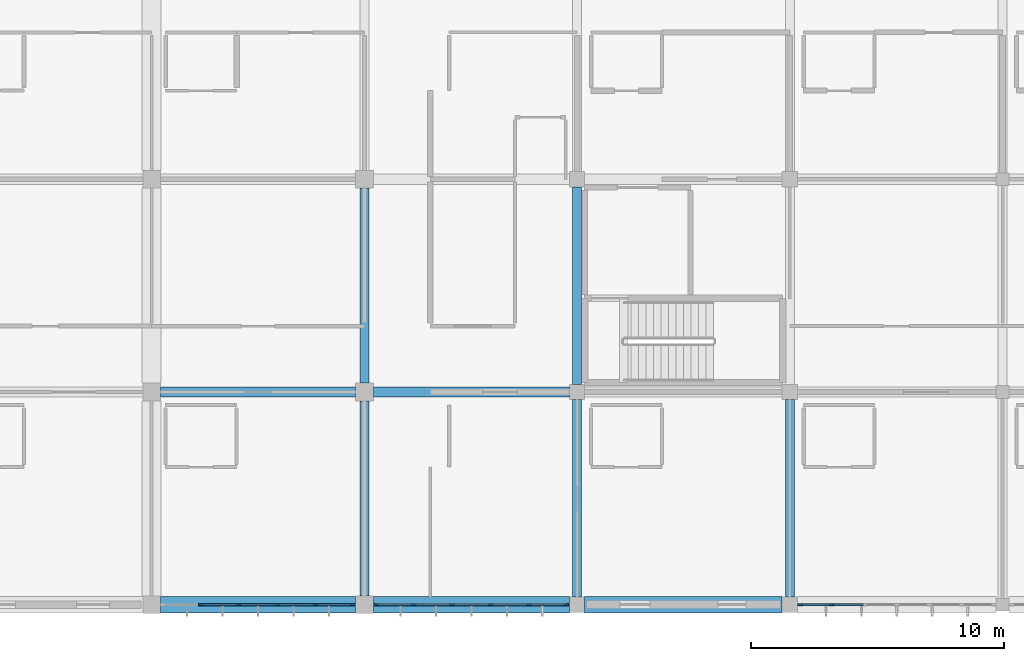
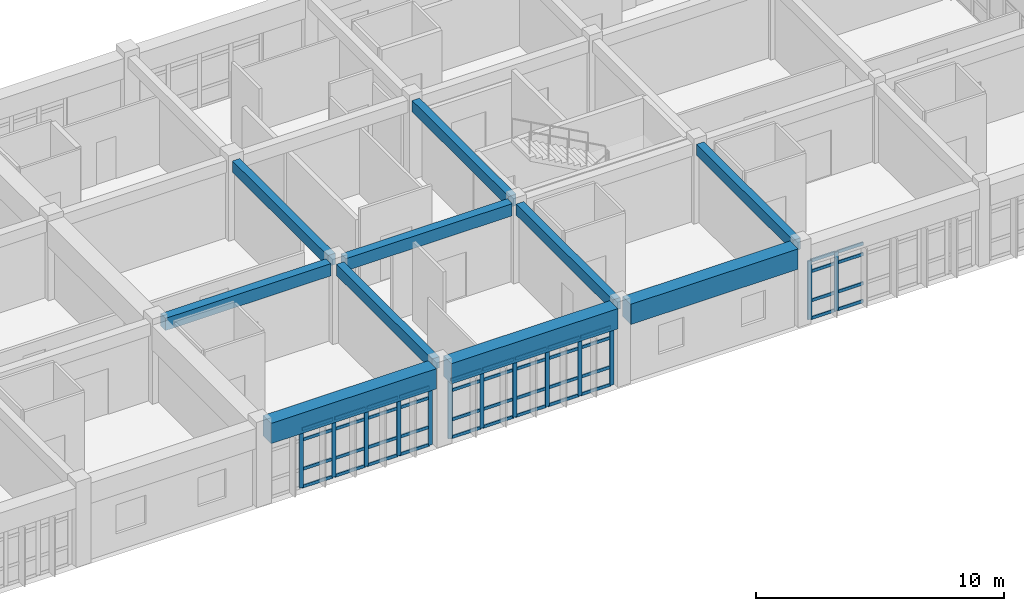
# One storey, part 43 of 119: 57 members, 10 beams, 3 elements without a shape of their own.
"""IFC4 building model written with IfcOpenShell, lengths in metres."""

from ifc_helpers import new_model, si_unit, direction, frame, origin, origin_2d, place, context, subcontext, project, spatial, rectangle, extrude, material, layer, layer_set, material_profile, profile_set, type_object, element, aggregate, save


model = new_model("IFC4")

# Units and contexts
model_context = context("Model", 3, precision=1e-05, world=origin(), true_north=direction((0.0, 1.0)))
body_context = subcontext(model_context, "Body", "Model", "MODEL_VIEW")
ifc_project = project(units=[si_unit("LENGTHUNIT", "METRE"), si_unit("AREAUNIT", "SQUARE_METRE"), si_unit("VOLUMEUNIT", "CUBIC_METRE"), si_unit("PLANEANGLEUNIT", "RADIAN"), si_unit("MASSUNIT", "GRAM", prefix="KILO")], contexts=[model_context])

# Site, building, storey
site_placement = place(None, origin())
site = spatial("IfcSite", under=ifc_project, at=site_placement, CompositionType="ELEMENT")
building_placement = place(site_placement, origin())
building = spatial("IfcBuilding", under=site, at=building_placement, Name="Bramfleet General Hospital", CompositionType="ELEMENT")
storey_placement = place(building_placement, frame((0.0, 0.0, 14.39990234375)))
storey = spatial("IfcBuildingStorey", under=building, at=storey_placement, Name="L03", CompositionType="ELEMENT", Elevation=14.39990234375)

# Beams
ifc_material_1 = material(Name="Concrete C35/45", Category="concrete")
ifc_material_profile_1 = material_profile(ifc_material_1, rectangle(XDim=0.35009765625, YDim=0.550048828125, at=origin_2d()), Name="RC BM 550x350")
ifc_profile_set_1 = profile_set([ifc_material_profile_1], Name="Concrete C35/45")
beam_type_1 = type_object("IfcBeamType", Name="BM-RC550", PredefinedType="BEAM", material=ifc_profile_set_1)
for number, where, z_axis, x_axis, name in (
    (1, (134.39990234375, 0.35009765625, 3.625), (0.0, 1.0, 0.0), (-1.0, 0.0, 0.0), "L03 Grid Beam Y 16-00"),
    (2, (134.39990234375, 8.75, 3.625), (0.0, 1.0, 0.0), (-1.0, 0.0, 0.0), "L03 Grid Beam Y 16-01"),
):
    element("IfcBeam", number, at=place(storey_placement, frame(where, z_axis=z_axis, x_axis=x_axis)), inside=storey, type_object=beam_type_1, Name=name, PredefinedType="BEAM", context=body_context, shape_type="SweptSolid", body=[
        extrude(rectangle(XDim=0.35009765625, YDim=0.550048828125, at=origin_2d()), origin(), (0.0, 0.0, 1.0), 7.699951171875),
    ])
for number, where, z_axis, x_axis, name in (
    (3, (142.800048828125, 0.300048828125, 3.625), (0.0, 1.0, 0.0), (-1.0, 0.0, 0.0), "L03 Grid Beam Y 17-00"),
    (4, (142.800048828125, 8.699951171875, 3.625), (0.0, 1.0, 0.0), (-1.0, 0.0, 0.0), "L03 Grid Beam Y 17-01"),
    (5, (151.199951171875, 0.300048828125, 3.625), (0.0, 1.0, 0.0), (-1.0, 0.0, 0.0), "L03 Grid Beam Y 18-00"),
):
    element("IfcBeam", number, at=place(storey_placement, frame(where, z_axis=z_axis, x_axis=x_axis)), inside=storey, type_object=beam_type_1, Name=name, PredefinedType="BEAM", context=body_context, shape_type="SweptSolid", body=[
        extrude(rectangle(XDim=0.35009765625, YDim=0.550048828125, at=origin_2d()), origin(), (0.0, 0.0, 1.0), 7.800048828125),
    ])
ifc_material_profile_2 = material_profile(ifc_material_1, rectangle(XDim=0.39990234375, YDim=0.60009765625, at=origin_2d()), Name="RC BM 600x400")
ifc_profile_set_2 = profile_set([ifc_material_profile_2], Name="Concrete C35/45")
beam_type_2 = type_object("IfcBeamType", Name="BM-RC600", PredefinedType="BEAM", material=ifc_profile_set_2)
beam_1_placement = place(storey_placement, frame((126.35009765625, 8.39990234375, 3.60009765625), z_axis=(1.0, 0.0, 0.0), x_axis=(0.0, 1.0, 0.0)))
element("IfcBeam", 6, at=beam_1_placement, inside=storey, type_object=beam_type_2, Name="L03 Grid Beam X 15-01", PredefinedType="BEAM", context=body_context, shape_type="SweptSolid", body=[
    extrude(rectangle(XDim=0.39990234375, YDim=0.60009765625, at=origin_2d()), origin(), (0.0, 0.0, 1.0), 7.699951171875),
])
beam_2_placement = place(storey_placement, frame((134.75, 8.39990234375, 3.60009765625), z_axis=(1.0, 0.0, 0.0), x_axis=(0.0, 1.0, 0.0)))
element("IfcBeam", 7, at=beam_2_placement, inside=storey, type_object=beam_type_2, Name="L03 Grid Beam X 16-01", PredefinedType="BEAM", context=body_context, shape_type="SweptSolid", body=[
    extrude(rectangle(XDim=0.39990234375, YDim=0.60009765625, at=origin_2d()), origin(), (0.0, 0.0, 1.0), 7.75),
])
ifc_material_2 = material(Name="Concrete C40/50", Category="concrete")
ifc_material_profile_3 = material_profile(ifc_material_2, rectangle(XDim=0.64990234375, YDim=1.0, at=origin_2d()), Name="RC TG 1000x650")
ifc_profile_set_3 = profile_set([ifc_material_profile_3], Name="Concrete C40/50")
beam_type_3 = type_object("IfcBeamType", Name="BM-TG1000", PredefinedType="BEAM", material=ifc_profile_set_3)
beam_3_placement = place(storey_placement, frame((126.35009765625, 0.0, 3.400146484375), z_axis=(1.0, 0.0, 0.0), x_axis=(0.0, 1.0, 0.0)))
element("IfcBeam", 8, at=beam_3_placement, inside=storey, type_object=beam_type_3, Name="L03 Transfer Girder X 15-00", PredefinedType="BEAM", context=body_context, shape_type="SweptSolid", body=[
    extrude(rectangle(XDim=0.64990234375, YDim=1.0, at=origin_2d()), origin(), (0.0, 0.0, 1.0), 7.699951171875),
])
beam_4_placement = place(storey_placement, frame((134.75, 0.0, 3.400146484375), z_axis=(1.0, 0.0, 0.0), x_axis=(0.0, 1.0, 0.0)))
element("IfcBeam", 9, at=beam_4_placement, inside=storey, type_object=beam_type_3, Name="L03 Transfer Girder X 16-00", PredefinedType="BEAM", context=body_context, shape_type="SweptSolid", body=[
    extrude(rectangle(XDim=0.64990234375, YDim=1.0, at=origin_2d()), origin(), (0.0, 0.0, 1.0), 7.75),
])
beam_5_placement = place(storey_placement, frame((143.10009765625, 0.0, 3.400146484375), z_axis=(1.0, 0.0, 0.0), x_axis=(0.0, 1.0, 0.0)))
element("IfcBeam", 10, at=beam_5_placement, inside=storey, type_object=beam_type_3, Name="L03 Transfer Girder X 17-00", PredefinedType="BEAM", context=body_context, shape_type="SweptSolid", body=[
    extrude(rectangle(XDim=0.64990234375, YDim=1.0, at=origin_2d()), origin(), (0.0, 0.0, 1.0), 7.7998046875),
])

# Curtain wall, members
ifc_material_3 = material(Name="Anodised aluminium and low-E triple glazing", Category="aluminium")
ifc_layer_1 = layer(ifc_material_3, 0.179931640625, Name="CWT-CW-08")
ifc_layer_set_1 = layer_set([ifc_layer_1], Name="Anodised aluminium and low-E triple glazing")
curtain_wall_type_1 = type_object("IfcCurtainWallType", Name="CWT-CW-08", PredefinedType="USERDEFINED", material=ifc_layer_set_1)
curtain_wall_1_placement = place(storey_placement, origin())
curtain_wall_1 = element("IfcCurtainWall", 11, at=curtain_wall_1_placement, inside=storey, type_object=curtain_wall_type_1, Name="L03 Curtain Wall 170", ObjectType="Unitised curtain wall", PredefinedType="USERDEFINED")
ifc_material_4 = material(Name="Structural timber GL28h", Category="wood")
ifc_material_profile_4 = material_profile(ifc_material_4, rectangle(XDim=0.070068359375, YDim=0.18994140625, at=origin_2d()), Name="LARCH 190x70")
ifc_profile_set_4 = profile_set([ifc_material_profile_4], Name="Structural timber GL28h")
member_type_1 = type_object("IfcMemberType", Name="CWM-LARCH450", PredefinedType="MULLION", material=ifc_profile_set_4)
member_1_placement = place(storey_placement, frame((152.8583984375, 0.0, 0.0), z_axis=(0.0, 0.0, 1.0), x_axis=(0.0, -1.0, 0.0)))
member_1 = element("IfcMember", 12, at=member_1_placement, type_object=member_type_1, Name="CW-08 mullion 6", PredefinedType="MULLION", context=body_context, shape_type="SweptSolid", body=[
    extrude(rectangle(XDim=0.070068359375, YDim=0.18994140625, at=origin_2d()), origin(), (0.0, 0.0, 1.0), 2.89013671875),
])
member_2_placement = place(storey_placement, frame((151.610107421875, 0.0, 0.0), z_axis=(0.0, 0.0, 1.0), x_axis=(0.0, -1.0, 0.0)))
member_2 = element("IfcMember", 13, at=member_2_placement, type_object=member_type_1, Name="CW-08 mullion 7", PredefinedType="MULLION", context=body_context, shape_type="SweptSolid", body=[
    extrude(rectangle(XDim=0.070068359375, YDim=0.18994140625, at=origin_2d()), origin(), (0.0, 0.0, 1.0), 2.89013671875),
])

ifc_layer_2 = layer(ifc_material_3, 0.179931640625, Name="CWT-CW-09")
ifc_layer_set_2 = layer_set([ifc_layer_2], Name="Anodised aluminium and low-E triple glazing")
curtain_wall_type_2 = type_object("IfcCurtainWallType", Name="CWT-CW-09", PredefinedType="USERDEFINED", material=ifc_layer_set_2)
curtain_wall_2_placement = place(storey_placement, origin())
curtain_wall_2 = element("IfcCurtainWall", 14, at=curtain_wall_2_placement, inside=storey, type_object=curtain_wall_type_2, Name="L03 Curtain Wall 171", ObjectType="Unitised curtain wall", PredefinedType="USERDEFINED")
member_3_placement = place(storey_placement, frame((142.389892578125, 0.0, 0.0), z_axis=(0.0, 0.0, 1.0), x_axis=(0.0, -1.0, 0.0)))
member_3 = element("IfcMember", 15, at=member_3_placement, type_object=member_type_1, Name="CW-09 mullion 1", PredefinedType="MULLION", context=body_context, shape_type="SweptSolid", body=[
    extrude(rectangle(XDim=0.070068359375, YDim=0.18994140625, at=origin_2d()), origin(), (0.0, 0.0, 1.0), 2.89013671875),
])
member_4_placement = place(storey_placement, frame((140.905029296875, 0.0, 0.0), z_axis=(0.0, 0.0, 1.0), x_axis=(0.0, -1.0, 0.0)))
member_4 = element("IfcMember", 16, at=member_4_placement, type_object=member_type_1, Name="CW-09 mullion 2", PredefinedType="MULLION", context=body_context, shape_type="SweptSolid", body=[
    extrude(rectangle(XDim=0.070068359375, YDim=0.18994140625, at=origin_2d()), origin(), (0.0, 0.0, 1.0), 2.89013671875),
])
member_5_placement = place(storey_placement, frame((139.385009765625, 0.0, 0.0), z_axis=(0.0, 0.0, 1.0), x_axis=(0.0, -1.0, 0.0)))
member_5 = element("IfcMember", 17, at=member_5_placement, type_object=member_type_1, Name="CW-09 mullion 3", PredefinedType="MULLION", context=body_context, shape_type="SweptSolid", body=[
    extrude(rectangle(XDim=0.070068359375, YDim=0.18994140625, at=origin_2d()), origin(), (0.0, 0.0, 1.0), 2.89013671875),
])
member_6_placement = place(storey_placement, frame((137.864990234375, 0.0, 0.0), z_axis=(0.0, 0.0, 1.0), x_axis=(0.0, -1.0, 0.0)))
member_6 = element("IfcMember", 18, at=member_6_placement, type_object=member_type_1, Name="CW-09 mullion 4", PredefinedType="MULLION", context=body_context, shape_type="SweptSolid", body=[
    extrude(rectangle(XDim=0.070068359375, YDim=0.18994140625, at=origin_2d()), origin(), (0.0, 0.0, 1.0), 2.89013671875),
])
member_7_placement = place(storey_placement, frame((136.344970703125, 0.0, 0.0), z_axis=(0.0, 0.0, 1.0), x_axis=(0.0, -1.0, 0.0)))
member_7 = element("IfcMember", 19, at=member_7_placement, type_object=member_type_1, Name="CW-09 mullion 5", PredefinedType="MULLION", context=body_context, shape_type="SweptSolid", body=[
    extrude(rectangle(XDim=0.070068359375, YDim=0.18994140625, at=origin_2d()), origin(), (0.0, 0.0, 1.0), 2.89013671875),
])
member_8_placement = place(storey_placement, frame((134.860107421875, 0.0, 0.0), z_axis=(0.0, 0.0, 1.0), x_axis=(0.0, -1.0, 0.0)))
member_8 = element("IfcMember", 20, at=member_8_placement, type_object=member_type_1, Name="CW-09 mullion 6", PredefinedType="MULLION", context=body_context, shape_type="SweptSolid", body=[
    extrude(rectangle(XDim=0.070068359375, YDim=0.18994140625, at=origin_2d()), origin(), (0.0, 0.0, 1.0), 2.89013671875),
])

ifc_layer_3 = layer(ifc_material_3, 0.179931640625, Name="CWT-CW-10")
ifc_layer_set_3 = layer_set([ifc_layer_3], Name="Anodised aluminium and low-E triple glazing")
curtain_wall_type_3 = type_object("IfcCurtainWallType", Name="CWT-CW-10", PredefinedType="USERDEFINED", material=ifc_layer_set_3)
curtain_wall_3_placement = place(storey_placement, origin())
curtain_wall_3 = element("IfcCurtainWall", 21, at=curtain_wall_3_placement, inside=storey, type_object=curtain_wall_type_3, Name="L03 Curtain Wall 172", ObjectType="Stick curtain wall", PredefinedType="USERDEFINED")
member_9_placement = place(storey_placement, frame((133.93994140625, 0.0, 0.0), z_axis=(0.0, 0.0, 1.0), x_axis=(0.0, -1.0, 0.0)))
member_9 = element("IfcMember", 22, at=member_9_placement, type_object=member_type_1, Name="CW-10 mullion 1", PredefinedType="MULLION", context=body_context, shape_type="SweptSolid", body=[
    extrude(rectangle(XDim=0.070068359375, YDim=0.18994140625, at=origin_2d()), origin(), (0.0, 0.0, 1.0), 2.89013671875),
])
member_10_placement = place(storey_placement, frame((132.465087890625, 0.0, 0.0), z_axis=(0.0, 0.0, 1.0), x_axis=(0.0, -1.0, 0.0)))
member_10 = element("IfcMember", 23, at=member_10_placement, type_object=member_type_1, Name="CW-10 mullion 2", PredefinedType="MULLION", context=body_context, shape_type="SweptSolid", body=[
    extrude(rectangle(XDim=0.070068359375, YDim=0.18994140625, at=origin_2d()), origin(), (0.0, 0.0, 1.0), 2.89013671875),
])
member_11_placement = place(storey_placement, frame((130.955078125, 0.0, 0.0), z_axis=(0.0, 0.0, 1.0), x_axis=(0.0, -1.0, 0.0)))
member_11 = element("IfcMember", 24, at=member_11_placement, type_object=member_type_1, Name="CW-10 mullion 3", PredefinedType="MULLION", context=body_context, shape_type="SweptSolid", body=[
    extrude(rectangle(XDim=0.070068359375, YDim=0.18994140625, at=origin_2d()), origin(), (0.0, 0.0, 1.0), 2.89013671875),
])
member_12_placement = place(storey_placement, frame((129.445068359375, 0.0, 0.0), z_axis=(0.0, 0.0, 1.0), x_axis=(0.0, -1.0, 0.0)))
member_12 = element("IfcMember", 25, at=member_12_placement, type_object=member_type_1, Name="CW-10 mullion 4", PredefinedType="MULLION", context=body_context, shape_type="SweptSolid", body=[
    extrude(rectangle(XDim=0.070068359375, YDim=0.18994140625, at=origin_2d()), origin(), (0.0, 0.0, 1.0), 2.89013671875),
])
member_13_placement = place(storey_placement, frame((127.93505859375, 0.0, 0.0), z_axis=(0.0, 0.0, 1.0), x_axis=(0.0, -1.0, 0.0)))
member_13 = element("IfcMember", 26, at=member_13_placement, type_object=member_type_1, Name="CW-10 mullion 5", PredefinedType="MULLION", context=body_context, shape_type="SweptSolid", body=[
    extrude(rectangle(XDim=0.070068359375, YDim=0.18994140625, at=origin_2d()), origin(), (0.0, 0.0, 1.0), 2.89013671875),
])

# Member
ifc_material_profile_5 = material_profile(ifc_material_4, rectangle(XDim=0.06494140625, YDim=0.14990234375, at=origin_2d()), Name="LARCH 150x65")
ifc_profile_set_5 = profile_set([ifc_material_profile_5], Name="Structural timber GL28h")
member_type_2 = type_object("IfcMemberType", Name="CWT-LARCH220", PredefinedType="USERDEFINED", material=ifc_profile_set_5)
member_14_placement = place(storey_placement, frame((154.106689453125, 0.0, 0.03271484375), z_axis=(-1.0, 0.0, 0.0), x_axis=(0.0, -1.0, 0.0)))
member_14 = element("IfcMember", 27, at=member_14_placement, type_object=member_type_2, Name="CW-08 transom 5.1", ObjectType="TRANSOM", PredefinedType="USERDEFINED", context=body_context, shape_type="SweptSolid", body=[
    extrude(rectangle(XDim=0.06494140625, YDim=0.14990234375, at=origin_2d()), origin(), (0.0, 0.0, 1.0), 1.21337890625),
])

member_15_placement = place(storey_placement, frame((154.106689453125, 0.0, 0.900146484375), z_axis=(-1.0, 0.0, 0.0), x_axis=(0.0, -1.0, 0.0)))
member_15 = element("IfcMember", 28, at=member_15_placement, type_object=member_type_2, Name="CW-08 transom 5.2", ObjectType="TRANSOM", PredefinedType="USERDEFINED", context=body_context, shape_type="SweptSolid", body=[
    extrude(rectangle(XDim=0.06494140625, YDim=0.14990234375, at=origin_2d()), origin(), (0.0, 0.0, 1.0), 1.21337890625),
])

member_16_placement = place(storey_placement, frame((154.106689453125, 0.0, 2.340087890625), z_axis=(-1.0, 0.0, 0.0), x_axis=(0.0, -1.0, 0.0)))
member_16 = element("IfcMember", 29, at=member_16_placement, type_object=member_type_2, Name="CW-08 transom 5.3", ObjectType="TRANSOM", PredefinedType="USERDEFINED", context=body_context, shape_type="SweptSolid", body=[
    extrude(rectangle(XDim=0.06494140625, YDim=0.14990234375, at=origin_2d()), origin(), (0.0, 0.0, 1.0), 1.21337890625),
])

member_17_placement = place(storey_placement, frame((154.106689453125, 0.0, 2.857666015625), z_axis=(-1.0, 0.0, 0.0), x_axis=(0.0, -1.0, 0.0)))
member_17 = element("IfcMember", 30, at=member_17_placement, type_object=member_type_2, Name="CW-08 transom 5.4", ObjectType="TRANSOM", PredefinedType="USERDEFINED", context=body_context, shape_type="SweptSolid", body=[
    extrude(rectangle(XDim=0.06494140625, YDim=0.14990234375, at=origin_2d()), origin(), (0.0, 0.0, 1.0), 1.21337890625),
])

member_18_placement = place(storey_placement, frame((152.8232421875, 0.0, 0.03271484375), z_axis=(-1.0, 0.0, 0.0), x_axis=(0.0, -1.0, 0.0)))
member_18 = element("IfcMember", 31, at=member_18_placement, type_object=member_type_2, Name="CW-08 transom 6.1", ObjectType="TRANSOM", PredefinedType="USERDEFINED", context=body_context, shape_type="SweptSolid", body=[
    extrude(rectangle(XDim=0.06494140625, YDim=0.14990234375, at=origin_2d()), origin(), (0.0, 0.0, 1.0), 1.17822265625),
])

member_19_placement = place(storey_placement, frame((152.8232421875, 0.0, 0.900146484375), z_axis=(-1.0, 0.0, 0.0), x_axis=(0.0, -1.0, 0.0)))
member_19 = element("IfcMember", 32, at=member_19_placement, type_object=member_type_2, Name="CW-08 transom 6.2", ObjectType="TRANSOM", PredefinedType="USERDEFINED", context=body_context, shape_type="SweptSolid", body=[
    extrude(rectangle(XDim=0.06494140625, YDim=0.14990234375, at=origin_2d()), origin(), (0.0, 0.0, 1.0), 1.17822265625),
])

member_20_placement = place(storey_placement, frame((152.8232421875, 0.0, 2.340087890625), z_axis=(-1.0, 0.0, 0.0), x_axis=(0.0, -1.0, 0.0)))
member_20 = element("IfcMember", 33, at=member_20_placement, type_object=member_type_2, Name="CW-08 transom 6.3", ObjectType="TRANSOM", PredefinedType="USERDEFINED", context=body_context, shape_type="SweptSolid", body=[
    extrude(rectangle(XDim=0.06494140625, YDim=0.14990234375, at=origin_2d()), origin(), (0.0, 0.0, 1.0), 1.17822265625),
])

member_21_placement = place(storey_placement, frame((152.8232421875, 0.0, 2.857666015625), z_axis=(-1.0, 0.0, 0.0), x_axis=(0.0, -1.0, 0.0)))
member_21 = element("IfcMember", 34, at=member_21_placement, type_object=member_type_2, Name="CW-08 transom 6.4", ObjectType="TRANSOM", PredefinedType="USERDEFINED", context=body_context, shape_type="SweptSolid", body=[
    extrude(rectangle(XDim=0.06494140625, YDim=0.14990234375, at=origin_2d()), origin(), (0.0, 0.0, 1.0), 1.17822265625),
])

aggregate(curtain_wall_1, [member_1, member_2, member_14, member_15, member_16, member_17, member_18, member_19, member_20, member_21])

member_22_placement = place(storey_placement, frame((142.35498046875, 0.0, 0.03271484375), z_axis=(-1.0, 0.0, 0.0), x_axis=(0.0, -1.0, 0.0)))
member_22 = element("IfcMember", 35, at=member_22_placement, type_object=member_type_2, Name="CW-09 transom 1.1", ObjectType="TRANSOM", PredefinedType="USERDEFINED", context=body_context, shape_type="SweptSolid", body=[
    extrude(rectangle(XDim=0.06494140625, YDim=0.14990234375, at=origin_2d()), origin(), (0.0, 0.0, 1.0), 1.4150390625),
])

member_23_placement = place(storey_placement, frame((142.35498046875, 0.0, 0.900146484375), z_axis=(-1.0, 0.0, 0.0), x_axis=(0.0, -1.0, 0.0)))
member_23 = element("IfcMember", 36, at=member_23_placement, type_object=member_type_2, Name="CW-09 transom 1.2", ObjectType="TRANSOM", PredefinedType="USERDEFINED", context=body_context, shape_type="SweptSolid", body=[
    extrude(rectangle(XDim=0.06494140625, YDim=0.14990234375, at=origin_2d()), origin(), (0.0, 0.0, 1.0), 1.4150390625),
])

member_24_placement = place(storey_placement, frame((142.35498046875, 0.0, 2.340087890625), z_axis=(-1.0, 0.0, 0.0), x_axis=(0.0, -1.0, 0.0)))
member_24 = element("IfcMember", 37, at=member_24_placement, type_object=member_type_2, Name="CW-09 transom 1.3", ObjectType="TRANSOM", PredefinedType="USERDEFINED", context=body_context, shape_type="SweptSolid", body=[
    extrude(rectangle(XDim=0.06494140625, YDim=0.14990234375, at=origin_2d()), origin(), (0.0, 0.0, 1.0), 1.4150390625),
])

member_25_placement = place(storey_placement, frame((142.35498046875, 0.0, 2.857666015625), z_axis=(-1.0, 0.0, 0.0), x_axis=(0.0, -1.0, 0.0)))
member_25 = element("IfcMember", 38, at=member_25_placement, type_object=member_type_2, Name="CW-09 transom 1.4", ObjectType="TRANSOM", PredefinedType="USERDEFINED", context=body_context, shape_type="SweptSolid", body=[
    extrude(rectangle(XDim=0.06494140625, YDim=0.14990234375, at=origin_2d()), origin(), (0.0, 0.0, 1.0), 1.4150390625),
])

member_26_placement = place(storey_placement, frame((140.8701171875, 0.0, 0.03271484375), z_axis=(-1.0, 0.0, 0.0), x_axis=(0.0, -1.0, 0.0)))
member_26 = element("IfcMember", 39, at=member_26_placement, type_object=member_type_2, Name="CW-09 transom 2.1", ObjectType="TRANSOM", PredefinedType="USERDEFINED", context=body_context, shape_type="SweptSolid", body=[
    extrude(rectangle(XDim=0.06494140625, YDim=0.14990234375, at=origin_2d()), origin(), (0.0, 0.0, 1.0), 1.4501953125),
])

member_27_placement = place(storey_placement, frame((140.8701171875, 0.0, 0.900146484375), z_axis=(-1.0, 0.0, 0.0), x_axis=(0.0, -1.0, 0.0)))
member_27 = element("IfcMember", 40, at=member_27_placement, type_object=member_type_2, Name="CW-09 transom 2.2", ObjectType="TRANSOM", PredefinedType="USERDEFINED", context=body_context, shape_type="SweptSolid", body=[
    extrude(rectangle(XDim=0.06494140625, YDim=0.14990234375, at=origin_2d()), origin(), (0.0, 0.0, 1.0), 1.4501953125),
])

member_28_placement = place(storey_placement, frame((140.8701171875, 0.0, 2.340087890625), z_axis=(-1.0, 0.0, 0.0), x_axis=(0.0, -1.0, 0.0)))
member_28 = element("IfcMember", 41, at=member_28_placement, type_object=member_type_2, Name="CW-09 transom 2.3", ObjectType="TRANSOM", PredefinedType="USERDEFINED", context=body_context, shape_type="SweptSolid", body=[
    extrude(rectangle(XDim=0.06494140625, YDim=0.14990234375, at=origin_2d()), origin(), (0.0, 0.0, 1.0), 1.4501953125),
])

member_29_placement = place(storey_placement, frame((140.8701171875, 0.0, 2.857666015625), z_axis=(-1.0, 0.0, 0.0), x_axis=(0.0, -1.0, 0.0)))
member_29 = element("IfcMember", 42, at=member_29_placement, type_object=member_type_2, Name="CW-09 transom 2.4", ObjectType="TRANSOM", PredefinedType="USERDEFINED", context=body_context, shape_type="SweptSolid", body=[
    extrude(rectangle(XDim=0.06494140625, YDim=0.14990234375, at=origin_2d()), origin(), (0.0, 0.0, 1.0), 1.4501953125),
])

member_30_placement = place(storey_placement, frame((139.35009765625, 0.0, 0.03271484375), z_axis=(-1.0, 0.0, 0.0), x_axis=(0.0, -1.0, 0.0)))
member_30 = element("IfcMember", 43, at=member_30_placement, type_object=member_type_2, Name="CW-09 transom 3.1", ObjectType="TRANSOM", PredefinedType="USERDEFINED", context=body_context, shape_type="SweptSolid", body=[
    extrude(rectangle(XDim=0.06494140625, YDim=0.14990234375, at=origin_2d()), origin(), (0.0, 0.0, 1.0), 1.4501953125),
])

member_31_placement = place(storey_placement, frame((139.35009765625, 0.0, 0.900146484375), z_axis=(-1.0, 0.0, 0.0), x_axis=(0.0, -1.0, 0.0)))
member_31 = element("IfcMember", 44, at=member_31_placement, type_object=member_type_2, Name="CW-09 transom 3.2", ObjectType="TRANSOM", PredefinedType="USERDEFINED", context=body_context, shape_type="SweptSolid", body=[
    extrude(rectangle(XDim=0.06494140625, YDim=0.14990234375, at=origin_2d()), origin(), (0.0, 0.0, 1.0), 1.4501953125),
])

member_32_placement = place(storey_placement, frame((139.35009765625, 0.0, 2.340087890625), z_axis=(-1.0, 0.0, 0.0), x_axis=(0.0, -1.0, 0.0)))
member_32 = element("IfcMember", 45, at=member_32_placement, type_object=member_type_2, Name="CW-09 transom 3.3", ObjectType="TRANSOM", PredefinedType="USERDEFINED", context=body_context, shape_type="SweptSolid", body=[
    extrude(rectangle(XDim=0.06494140625, YDim=0.14990234375, at=origin_2d()), origin(), (0.0, 0.0, 1.0), 1.4501953125),
])

member_33_placement = place(storey_placement, frame((139.35009765625, 0.0, 2.857666015625), z_axis=(-1.0, 0.0, 0.0), x_axis=(0.0, -1.0, 0.0)))
member_33 = element("IfcMember", 46, at=member_33_placement, type_object=member_type_2, Name="CW-09 transom 3.4", ObjectType="TRANSOM", PredefinedType="USERDEFINED", context=body_context, shape_type="SweptSolid", body=[
    extrude(rectangle(XDim=0.06494140625, YDim=0.14990234375, at=origin_2d()), origin(), (0.0, 0.0, 1.0), 1.4501953125),
])

member_34_placement = place(storey_placement, frame((137.830078125, 0.0, 0.03271484375), z_axis=(-1.0, 0.0, 0.0), x_axis=(0.0, -1.0, 0.0)))
member_34 = element("IfcMember", 47, at=member_34_placement, type_object=member_type_2, Name="CW-09 transom 4.1", ObjectType="TRANSOM", PredefinedType="USERDEFINED", context=body_context, shape_type="SweptSolid", body=[
    extrude(rectangle(XDim=0.06494140625, YDim=0.14990234375, at=origin_2d()), origin(), (0.0, 0.0, 1.0), 1.4501953125),
])

member_35_placement = place(storey_placement, frame((137.830078125, 0.0, 0.900146484375), z_axis=(-1.0, 0.0, 0.0), x_axis=(0.0, -1.0, 0.0)))
member_35 = element("IfcMember", 48, at=member_35_placement, type_object=member_type_2, Name="CW-09 transom 4.2", ObjectType="TRANSOM", PredefinedType="USERDEFINED", context=body_context, shape_type="SweptSolid", body=[
    extrude(rectangle(XDim=0.06494140625, YDim=0.14990234375, at=origin_2d()), origin(), (0.0, 0.0, 1.0), 1.4501953125),
])

member_36_placement = place(storey_placement, frame((137.830078125, 0.0, 2.340087890625), z_axis=(-1.0, 0.0, 0.0), x_axis=(0.0, -1.0, 0.0)))
member_36 = element("IfcMember", 49, at=member_36_placement, type_object=member_type_2, Name="CW-09 transom 4.3", ObjectType="TRANSOM", PredefinedType="USERDEFINED", context=body_context, shape_type="SweptSolid", body=[
    extrude(rectangle(XDim=0.06494140625, YDim=0.14990234375, at=origin_2d()), origin(), (0.0, 0.0, 1.0), 1.4501953125),
])

member_37_placement = place(storey_placement, frame((137.830078125, 0.0, 2.857666015625), z_axis=(-1.0, 0.0, 0.0), x_axis=(0.0, -1.0, 0.0)))
member_37 = element("IfcMember", 50, at=member_37_placement, type_object=member_type_2, Name="CW-09 transom 4.4", ObjectType="TRANSOM", PredefinedType="USERDEFINED", context=body_context, shape_type="SweptSolid", body=[
    extrude(rectangle(XDim=0.06494140625, YDim=0.14990234375, at=origin_2d()), origin(), (0.0, 0.0, 1.0), 1.4501953125),
])

member_38_placement = place(storey_placement, frame((136.31005859375, 0.0, 0.03271484375), z_axis=(-1.0, 0.0, 0.0), x_axis=(0.0, -1.0, 0.0)))
member_38 = element("IfcMember", 51, at=member_38_placement, type_object=member_type_2, Name="CW-09 transom 5.1", ObjectType="TRANSOM", PredefinedType="USERDEFINED", context=body_context, shape_type="SweptSolid", body=[
    extrude(rectangle(XDim=0.06494140625, YDim=0.14990234375, at=origin_2d()), origin(), (0.0, 0.0, 1.0), 1.4150390625),
])

member_39_placement = place(storey_placement, frame((136.31005859375, 0.0, 0.900146484375), z_axis=(-1.0, 0.0, 0.0), x_axis=(0.0, -1.0, 0.0)))
member_39 = element("IfcMember", 52, at=member_39_placement, type_object=member_type_2, Name="CW-09 transom 5.2", ObjectType="TRANSOM", PredefinedType="USERDEFINED", context=body_context, shape_type="SweptSolid", body=[
    extrude(rectangle(XDim=0.06494140625, YDim=0.14990234375, at=origin_2d()), origin(), (0.0, 0.0, 1.0), 1.4150390625),
])

member_40_placement = place(storey_placement, frame((136.31005859375, 0.0, 2.340087890625), z_axis=(-1.0, 0.0, 0.0), x_axis=(0.0, -1.0, 0.0)))
member_40 = element("IfcMember", 53, at=member_40_placement, type_object=member_type_2, Name="CW-09 transom 5.3", ObjectType="TRANSOM", PredefinedType="USERDEFINED", context=body_context, shape_type="SweptSolid", body=[
    extrude(rectangle(XDim=0.06494140625, YDim=0.14990234375, at=origin_2d()), origin(), (0.0, 0.0, 1.0), 1.4150390625),
])

member_41_placement = place(storey_placement, frame((136.31005859375, 0.0, 2.857666015625), z_axis=(-1.0, 0.0, 0.0), x_axis=(0.0, -1.0, 0.0)))
member_41 = element("IfcMember", 54, at=member_41_placement, type_object=member_type_2, Name="CW-09 transom 5.4", ObjectType="TRANSOM", PredefinedType="USERDEFINED", context=body_context, shape_type="SweptSolid", body=[
    extrude(rectangle(XDim=0.06494140625, YDim=0.14990234375, at=origin_2d()), origin(), (0.0, 0.0, 1.0), 1.4150390625),
])

aggregate(curtain_wall_2, [member_3, member_4, member_5, member_6, member_7, member_8, member_22, member_23, member_24, member_25, member_26, member_27, member_28, member_29, member_30, member_31, member_32, member_33, member_34, member_35, member_36, member_37, member_38, member_39, member_40, member_41])

member_42_placement = place(storey_placement, frame((133.905029296875, 0.0, 0.03271484375), z_axis=(-1.0, 0.0, 0.0), x_axis=(0.0, -1.0, 0.0)))
member_42 = element("IfcMember", 55, at=member_42_placement, type_object=member_type_2, Name="CW-10 transom 1.1", ObjectType="TRANSOM", PredefinedType="USERDEFINED", context=body_context, shape_type="SweptSolid", body=[
    extrude(rectangle(XDim=0.06494140625, YDim=0.14990234375, at=origin_2d()), origin(), (0.0, 0.0, 1.0), 1.405029296875),
])

member_43_placement = place(storey_placement, frame((133.905029296875, 0.0, 0.900146484375), z_axis=(-1.0, 0.0, 0.0), x_axis=(0.0, -1.0, 0.0)))
member_43 = element("IfcMember", 56, at=member_43_placement, type_object=member_type_2, Name="CW-10 transom 1.2", ObjectType="TRANSOM", PredefinedType="USERDEFINED", context=body_context, shape_type="SweptSolid", body=[
    extrude(rectangle(XDim=0.06494140625, YDim=0.14990234375, at=origin_2d()), origin(), (0.0, 0.0, 1.0), 1.405029296875),
])

member_44_placement = place(storey_placement, frame((133.905029296875, 0.0, 2.340087890625), z_axis=(-1.0, 0.0, 0.0), x_axis=(0.0, -1.0, 0.0)))
member_44 = element("IfcMember", 57, at=member_44_placement, type_object=member_type_2, Name="CW-10 transom 1.3", ObjectType="TRANSOM", PredefinedType="USERDEFINED", context=body_context, shape_type="SweptSolid", body=[
    extrude(rectangle(XDim=0.06494140625, YDim=0.14990234375, at=origin_2d()), origin(), (0.0, 0.0, 1.0), 1.405029296875),
])

member_45_placement = place(storey_placement, frame((133.905029296875, 0.0, 2.857666015625), z_axis=(-1.0, 0.0, 0.0), x_axis=(0.0, -1.0, 0.0)))
member_45 = element("IfcMember", 58, at=member_45_placement, type_object=member_type_2, Name="CW-10 transom 1.4", ObjectType="TRANSOM", PredefinedType="USERDEFINED", context=body_context, shape_type="SweptSolid", body=[
    extrude(rectangle(XDim=0.06494140625, YDim=0.14990234375, at=origin_2d()), origin(), (0.0, 0.0, 1.0), 1.405029296875),
])

member_46_placement = place(storey_placement, frame((132.429931640625, 0.0, 0.03271484375), z_axis=(-1.0, 0.0, 0.0), x_axis=(0.0, -1.0, 0.0)))
member_46 = element("IfcMember", 59, at=member_46_placement, type_object=member_type_2, Name="CW-10 transom 2.1", ObjectType="TRANSOM", PredefinedType="USERDEFINED", context=body_context, shape_type="SweptSolid", body=[
    extrude(rectangle(XDim=0.06494140625, YDim=0.14990234375, at=origin_2d()), origin(), (0.0, 0.0, 1.0), 1.43994140625),
])

member_47_placement = place(storey_placement, frame((132.429931640625, 0.0, 0.900146484375), z_axis=(-1.0, 0.0, 0.0), x_axis=(0.0, -1.0, 0.0)))
member_47 = element("IfcMember", 60, at=member_47_placement, type_object=member_type_2, Name="CW-10 transom 2.2", ObjectType="TRANSOM", PredefinedType="USERDEFINED", context=body_context, shape_type="SweptSolid", body=[
    extrude(rectangle(XDim=0.06494140625, YDim=0.14990234375, at=origin_2d()), origin(), (0.0, 0.0, 1.0), 1.43994140625),
])

member_48_placement = place(storey_placement, frame((132.429931640625, 0.0, 2.340087890625), z_axis=(-1.0, 0.0, 0.0), x_axis=(0.0, -1.0, 0.0)))
member_48 = element("IfcMember", 61, at=member_48_placement, type_object=member_type_2, Name="CW-10 transom 2.3", ObjectType="TRANSOM", PredefinedType="USERDEFINED", context=body_context, shape_type="SweptSolid", body=[
    extrude(rectangle(XDim=0.06494140625, YDim=0.14990234375, at=origin_2d()), origin(), (0.0, 0.0, 1.0), 1.43994140625),
])

member_49_placement = place(storey_placement, frame((132.429931640625, 0.0, 2.857666015625), z_axis=(-1.0, 0.0, 0.0), x_axis=(0.0, -1.0, 0.0)))
member_49 = element("IfcMember", 62, at=member_49_placement, type_object=member_type_2, Name="CW-10 transom 2.4", ObjectType="TRANSOM", PredefinedType="USERDEFINED", context=body_context, shape_type="SweptSolid", body=[
    extrude(rectangle(XDim=0.06494140625, YDim=0.14990234375, at=origin_2d()), origin(), (0.0, 0.0, 1.0), 1.43994140625),
])

member_50_placement = place(storey_placement, frame((130.919921875, 0.0, 0.03271484375), z_axis=(-1.0, 0.0, 0.0), x_axis=(0.0, -1.0, 0.0)))
member_50 = element("IfcMember", 63, at=member_50_placement, type_object=member_type_2, Name="CW-10 transom 3.1", ObjectType="TRANSOM", PredefinedType="USERDEFINED", context=body_context, shape_type="SweptSolid", body=[
    extrude(rectangle(XDim=0.06494140625, YDim=0.14990234375, at=origin_2d()), origin(), (0.0, 0.0, 1.0), 1.43994140625),
])

member_51_placement = place(storey_placement, frame((130.919921875, 0.0, 0.900146484375), z_axis=(-1.0, 0.0, 0.0), x_axis=(0.0, -1.0, 0.0)))
member_51 = element("IfcMember", 64, at=member_51_placement, type_object=member_type_2, Name="CW-10 transom 3.2", ObjectType="TRANSOM", PredefinedType="USERDEFINED", context=body_context, shape_type="SweptSolid", body=[
    extrude(rectangle(XDim=0.06494140625, YDim=0.14990234375, at=origin_2d()), origin(), (0.0, 0.0, 1.0), 1.43994140625),
])

member_52_placement = place(storey_placement, frame((130.919921875, 0.0, 2.340087890625), z_axis=(-1.0, 0.0, 0.0), x_axis=(0.0, -1.0, 0.0)))
member_52 = element("IfcMember", 65, at=member_52_placement, type_object=member_type_2, Name="CW-10 transom 3.3", ObjectType="TRANSOM", PredefinedType="USERDEFINED", context=body_context, shape_type="SweptSolid", body=[
    extrude(rectangle(XDim=0.06494140625, YDim=0.14990234375, at=origin_2d()), origin(), (0.0, 0.0, 1.0), 1.43994140625),
])

member_53_placement = place(storey_placement, frame((130.919921875, 0.0, 2.857666015625), z_axis=(-1.0, 0.0, 0.0), x_axis=(0.0, -1.0, 0.0)))
member_53 = element("IfcMember", 66, at=member_53_placement, type_object=member_type_2, Name="CW-10 transom 3.4", ObjectType="TRANSOM", PredefinedType="USERDEFINED", context=body_context, shape_type="SweptSolid", body=[
    extrude(rectangle(XDim=0.06494140625, YDim=0.14990234375, at=origin_2d()), origin(), (0.0, 0.0, 1.0), 1.43994140625),
])

member_54_placement = place(storey_placement, frame((129.409912109375, 0.0, 0.03271484375), z_axis=(-1.0, 0.0, 0.0), x_axis=(0.0, -1.0, 0.0)))
member_54 = element("IfcMember", 67, at=member_54_placement, type_object=member_type_2, Name="CW-10 transom 4.1", ObjectType="TRANSOM", PredefinedType="USERDEFINED", context=body_context, shape_type="SweptSolid", body=[
    extrude(rectangle(XDim=0.06494140625, YDim=0.14990234375, at=origin_2d()), origin(), (0.0, 0.0, 1.0), 1.43994140625),
])

member_55_placement = place(storey_placement, frame((129.409912109375, 0.0, 0.900146484375), z_axis=(-1.0, 0.0, 0.0), x_axis=(0.0, -1.0, 0.0)))
member_55 = element("IfcMember", 68, at=member_55_placement, type_object=member_type_2, Name="CW-10 transom 4.2", ObjectType="TRANSOM", PredefinedType="USERDEFINED", context=body_context, shape_type="SweptSolid", body=[
    extrude(rectangle(XDim=0.06494140625, YDim=0.14990234375, at=origin_2d()), origin(), (0.0, 0.0, 1.0), 1.43994140625),
])

member_56_placement = place(storey_placement, frame((129.409912109375, 0.0, 2.340087890625), z_axis=(-1.0, 0.0, 0.0), x_axis=(0.0, -1.0, 0.0)))
member_56 = element("IfcMember", 69, at=member_56_placement, type_object=member_type_2, Name="CW-10 transom 4.3", ObjectType="TRANSOM", PredefinedType="USERDEFINED", context=body_context, shape_type="SweptSolid", body=[
    extrude(rectangle(XDim=0.06494140625, YDim=0.14990234375, at=origin_2d()), origin(), (0.0, 0.0, 1.0), 1.43994140625),
])

member_57_placement = place(storey_placement, frame((129.409912109375, 0.0, 2.857666015625), z_axis=(-1.0, 0.0, 0.0), x_axis=(0.0, -1.0, 0.0)))
member_57 = element("IfcMember", 70, at=member_57_placement, type_object=member_type_2, Name="CW-10 transom 4.4", ObjectType="TRANSOM", PredefinedType="USERDEFINED", context=body_context, shape_type="SweptSolid", body=[
    extrude(rectangle(XDim=0.06494140625, YDim=0.14990234375, at=origin_2d()), origin(), (0.0, 0.0, 1.0), 1.43994140625),
])

aggregate(curtain_wall_3, [member_9, member_10, member_11, member_12, member_13, member_42, member_43, member_44, member_45, member_46, member_47, member_48, member_49, member_50, member_51, member_52, member_53, member_54, member_55, member_56, member_57])

save(model, "model.ifc")
